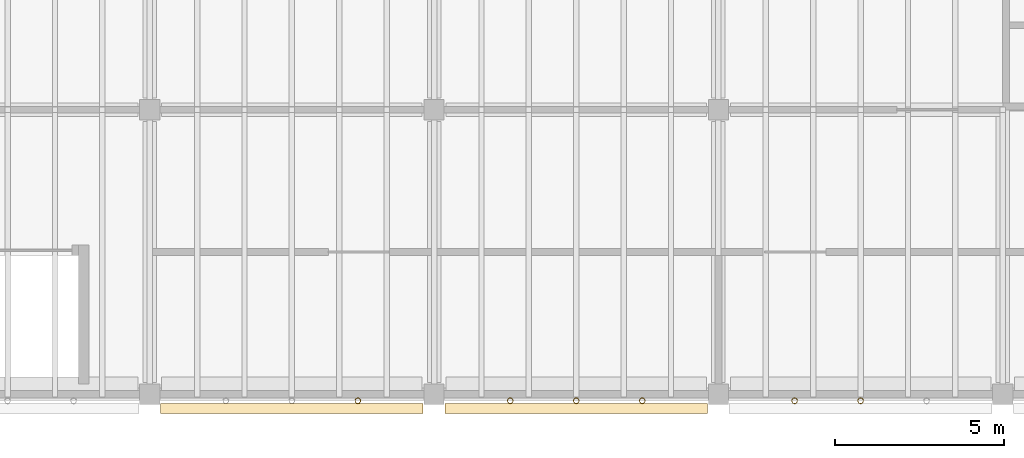
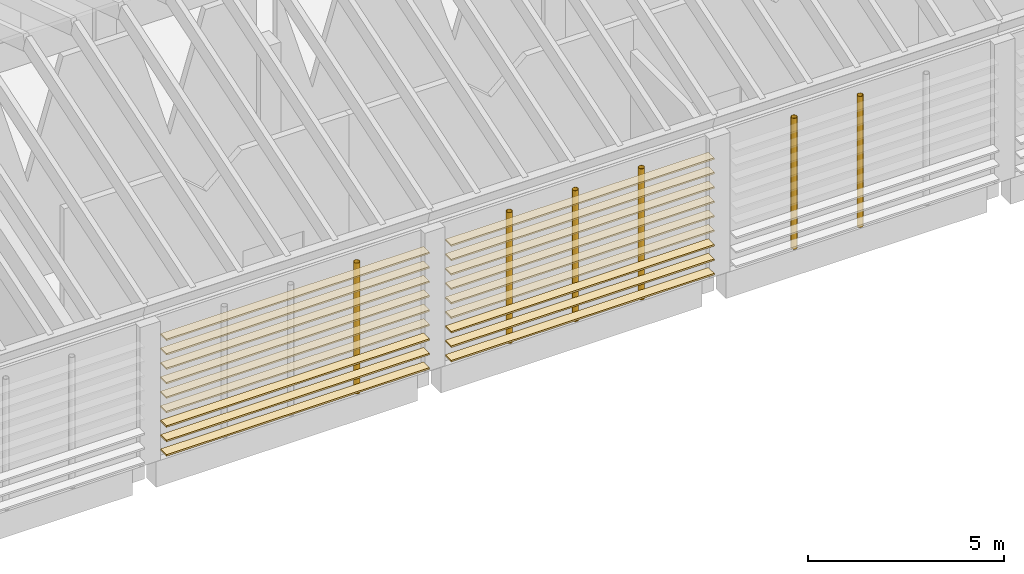
# One storey, part 48 of 59: 18 coverings, 6 shading devices.
"""IFC4 building model written with IfcOpenShell, lengths in metres."""

import ifcopenshell
import ifcopenshell.guid

model = None  # the IFC model being written
_history = None  # IfcOwnerHistory: only IFC2X3 demands one
_inside = {}  # id of a spatial element -> (the spatial element, [elements in it])
_under = {}  # id of a project, library or spatial element -> (it, [spatial elements below it])
_declared = {}  # id of a project -> (the project, [libraries it declares])
_typed = {}  # id of a type object -> (the type object, [elements of that type])
_made_of = {}  # id of a material, layer set ... -> (it, [elements and type objects made of it])


def new_model(schema):
    """Start an empty IFC model of exactly this schema.

    Asked for "IFC4X3", IfcOpenShell would pick the latest addendum, in which some entities
    have other attributes; the version numbers below select the first issue.
    IFC2X3 requires an IfcOwnerHistory on every rooted entity: one is made here for all.
    """
    global model, _history
    if schema == "IFC4X3":
        model = ifcopenshell.file(schema_version=(4, 3, 0, 0))
    else:
        model = ifcopenshell.file(schema=schema)
    _inside.clear()
    _under.clear()
    _declared.clear()
    _typed.clear()
    _made_of.clear()
    _history = None
    if model.schema == "IFC2X3":
        org = make("IfcOrganization", Name="unknown")
        user = make(
            "IfcPersonAndOrganization",
            ThePerson=make("IfcPerson", FamilyName="unknown"),
            TheOrganization=org,
        )
        app = make(
            "IfcApplication",
            ApplicationDeveloper=org,
            Version="unknown",
            ApplicationFullName="unknown",
            ApplicationIdentifier="unknown",
        )
        _history = make(
            "IfcOwnerHistory",
            OwningUser=user,
            OwningApplication=app,
            ChangeAction="ADDED",
            CreationDate=0,
        )
    return model


def make(cls, **values):
    """One entity of the class cls with the attributes given. An attribute that is None is left unset."""
    return model.create_entity(
        cls, **{name: value for name, value in values.items() if value is not None}
    )


def rooted(cls, **values):
    """An entity with a GlobalId (a new one), such as an element, a storey or a relation."""
    return make(cls, GlobalId=ifcopenshell.guid.new(), OwnerHistory=_history, **values)


def si_unit(unit_type, name, prefix=None):
    """IfcSIUnit, for example si_unit("LENGTHUNIT", "METRE", prefix="MILLI")."""
    return make("IfcSIUnit", UnitType=unit_type, Prefix=prefix, Name=name)


def assignment(units):
    """IfcUnitAssignment: the units of a project."""
    return None if units is None else make("IfcUnitAssignment", Units=units)


def point(xyz):
    """IfcCartesianPoint."""
    return None if xyz is None else make("IfcCartesianPoint", Coordinates=xyz)


def direction(xyz):
    """IfcDirection."""
    return None if xyz is None else make("IfcDirection", DirectionRatios=xyz)


def frame(location, z_axis=None, x_axis=None):
    """IfcAxis2Placement3D, a coordinate frame: its origin and axes. An axis left out is left unset."""
    return make(
        "IfcAxis2Placement3D",
        Location=point(location),
        Axis=direction(z_axis),
        RefDirection=direction(x_axis),
    )


def frame_2d(location, x_axis=None):
    """IfcAxis2Placement2D, a coordinate frame in the plane: its origin and x axis."""
    return make(
        "IfcAxis2Placement2D", Location=point(location), RefDirection=direction(x_axis)
    )


def origin():
    """The frame at (0, 0, 0) with its axes left unset."""
    return frame((0.0, 0.0, 0.0))


def origin_2d():
    """The frame at (0, 0) in the plane with its x axis left unset."""
    return frame_2d((0.0, 0.0))


def place(relative_to, where):
    """IfcLocalPlacement: puts the frame where relative to a parent placement (None: the world)."""
    return make(
        "IfcLocalPlacement", PlacementRelTo=relative_to, RelativePlacement=where
    )


def context(
    kind, dimensions, precision=None, world=None, true_north=None, identifier=None
):
    """IfcGeometricRepresentationContext, for example the 3D "Model" context."""
    return make(
        "IfcGeometricRepresentationContext",
        ContextIdentifier=identifier,
        ContextType=kind,
        CoordinateSpaceDimension=dimensions,
        Precision=precision,
        WorldCoordinateSystem=world,
        TrueNorth=true_north,
    )


def subcontext(parent, identifier, kind, view, scale=None):
    """IfcGeometricRepresentationSubContext, for example "Body" below "Model"."""
    return make(
        "IfcGeometricRepresentationSubContext",
        ContextIdentifier=identifier,
        ContextType=kind,
        ParentContext=parent,
        TargetScale=scale,
        TargetView=view,
    )


def project(units=None, contexts=None):
    """IfcProject with its units and contexts."""
    return rooted(
        "IfcProject",
        Name="project",
        RepresentationContexts=contexts,
        UnitsInContext=assignment(units),
    )


def spatial(cls, under=None, at=None, **own):
    """A site, building, storey or space (cls), placed at a placement, below another one or the project."""
    s = rooted(cls, ObjectPlacement=at, **own)
    if under is not None:
        _under.setdefault(under.id(), (under, []))[1].append(s)
    return s


def profile(cls, at=None, kind="AREA", **sizes):
    """A parametric profile (cls). Its sizes go by their IFC names, for example OverallWidth=200.0."""
    return make(cls, ProfileType=kind, Position=at, **sizes)


def rectangle(**sizes):
    """IfcRectangleProfileDef."""
    return profile("IfcRectangleProfileDef", **sizes)


def hollow_circle(**sizes):
    """IfcCircleHollowProfileDef."""
    return profile("IfcCircleHollowProfileDef", **sizes)


def extrude(swept, where, along, depth):
    """IfcExtrudedAreaSolid: the profile swept, set in the frame where, extruded along a direction by depth."""
    return make(
        "IfcExtrudedAreaSolid",
        SweptArea=swept,
        Position=where,
        ExtrudedDirection=direction(along),
        Depth=depth,
    )


def shape(context_of_items, identifier, shape_type, items):
    """IfcShapeRepresentation: the items that make up one representation, for example the "Body"."""
    return make(
        "IfcShapeRepresentation",
        ContextOfItems=context_of_items,
        RepresentationIdentifier=identifier,
        RepresentationType=shape_type,
        Items=items,
    )


def material(Name=None, Category=None):
    """IfcMaterial."""
    return make("IfcMaterial", Name=Name, Category=Category)


def material_profile(
    of_material, cross_section, Name=None, Category=None, Priority=None
):
    """IfcMaterialProfile: a cross section and its material."""
    return make(
        "IfcMaterialProfile",
        Name=Name,
        Material=of_material,
        Profile=cross_section,
        Priority=Priority,
        Category=Category,
    )


def profile_set(profiles, Name=None, composite=None):
    """IfcMaterialProfileSet."""
    return make(
        "IfcMaterialProfileSet",
        Name=Name,
        MaterialProfiles=profiles,
        CompositeProfile=composite,
    )


def made_of(thing, what):
    """Note that an element or type object is made of a material, layer set ...; save() writes the relation."""
    if what is not None:
        _made_of.setdefault(what.id(), (what, []))[1].append(thing)
    return thing


def type_object(cls, material=None, **own):
    """A type object (cls), such as IfcWallType, which elements share."""
    return made_of(rooted(cls, **own), material)


def element(
    cls,
    number,
    at=None,
    inside=None,
    cuts=None,
    type_object=None,
    material=None,
    context=None,
    identifier="Body",
    shape_type=None,
    held_by="IfcProductDefinitionShape",
    body=None,
    shapes=None,
    **own,
):
    """One element of the class cls, such as IfcWall. Its Tag is "e" and its number.

    at: its placement. inside: the storey or other place that contains it. cuts: it is an
    opening in that element (IfcRelVoidsElement). A single representation is given by context,
    identifier, shape_type and body (its items); several are given by shapes. held_by: the class
    of the entity that holds the representations. save() writes the other relations.
    """
    e = rooted(cls, Tag="e%d" % number, ObjectPlacement=at, **own)
    if body is not None:
        shapes = [shape(context, identifier, shape_type, body)]
    if shapes is not None:
        e.Representation = make(held_by, Representations=shapes)
    if inside is not None:
        _inside.setdefault(inside.id(), (inside, []))[1].append(e)
    if cuts is not None:
        rooted(
            "IfcRelVoidsElement", RelatingBuildingElement=cuts, RelatedOpeningElement=e
        )
    if type_object is not None:
        _typed.setdefault(type_object.id(), (type_object, []))[1].append(e)
    return made_of(e, material)


def aggregate(whole, parts):
    """IfcRelAggregates: a whole, such as a stair, and the parts it consists of."""
    return rooted("IfcRelAggregates", RelatingObject=whole, RelatedObjects=parts)


def save(model, path):
    """Write the relations noted so far, then the file.

    IfcRelAggregates (storeys below a building ...), IfcRelContainedInSpatialStructure (elements
    in a storey), IfcRelDefinesByType, IfcRelAssociatesMaterial and IfcRelDeclares: one each for
    every whole, place, type object, material and project.
    """
    for whole, parts in _under.values():
        aggregate(whole, parts)
    for where, things in _inside.values():
        rooted(
            "IfcRelContainedInSpatialStructure",
            RelatedElements=things,
            RelatingStructure=where,
        )
    for kind, things in _typed.values():
        rooted("IfcRelDefinesByType", RelatedObjects=things, RelatingType=kind)
    for what, things in _made_of.values():
        rooted("IfcRelAssociatesMaterial", RelatedObjects=things, RelatingMaterial=what)
    for by, libraries in _declared.values():
        rooted("IfcRelDeclares", RelatingContext=by, RelatedDefinitions=libraries)
    model.write(path)


model = new_model("IFC4")

# Units and contexts
model_context = context("Model", 3, precision=1e-05, world=origin(), true_north=direction((0.0, 1.0)))
body_context = subcontext(model_context, "Body", "Model", "MODEL_VIEW")
ifc_project = project(units=[si_unit("LENGTHUNIT", "METRE"), si_unit("AREAUNIT", "SQUARE_METRE"), si_unit("VOLUMEUNIT", "CUBIC_METRE"), si_unit("PLANEANGLEUNIT", "RADIAN"), si_unit("MASSUNIT", "GRAM", prefix="KILO")], contexts=[model_context])

# Site, building, storey
site_placement = place(None, origin())
site = spatial("IfcSite", under=ifc_project, at=site_placement, CompositionType="ELEMENT")
building_placement = place(site_placement, origin())
building = spatial("IfcBuilding", under=site, at=building_placement, Name="Almond Square Museum", CompositionType="ELEMENT")
storey_placement = place(building_placement, frame((0.0, 0.0, 25.0)))
storey = spatial("IfcBuildingStorey", under=building, at=storey_placement, Name="L04", CompositionType="ELEMENT", Elevation=25.0)

# Shading devices
ifc_material_1 = material(Name="Structural steel S355", Category="steel")
ifc_material_profile_1 = material_profile(ifc_material_1, hollow_circle(Radius=0.084228515625, WallThickness=0.008056640625, at=origin_2d()))
ifc_profile_set_1 = profile_set([ifc_material_profile_1], Name="Structural steel S355")
shading_device_type = type_object("IfcShadingDeviceType", Name="Louvre post CHS 168.3 x 8", PredefinedType="USERDEFINED", material=ifc_profile_set_1)
for number, where, z_axis, x_axis, name in (
    (1, (104.550048828125, -0.194091796875, 0.0), (0.0, 0.0, 1.0), (1.0, 0.0, 0.0), "Louvre screen post"),
    (2, (109.050048828125, -0.194091796875, 0.0), (0.0, 0.0, 1.0), (1.0, 0.0, 0.0), "Louvre screen post"),
    (3, (111.0, -0.194091796875, 0.0), (0.0, 0.0, 1.0), (1.0, 0.0, 0.0), "Louvre screen post"),
    (4, (112.949951171875, -0.194091796875, 0.0), (0.0, 0.0, 1.0), (1.0, 0.0, 0.0), "Louvre screen post"),
    (5, (117.449951171875, -0.194091796875, 0.0), (0.0, 0.0, 1.0), (1.0, 0.0, 0.0), "Louvre screen post"),
    (6, (119.39990234375, -0.194091796875, 0.0), (0.0, 0.0, 1.0), (1.0, 0.0, 0.0), "Louvre screen post"),
):
    element("IfcShadingDevice", number, at=place(storey_placement, frame(where, z_axis=z_axis, x_axis=x_axis)), inside=storey, type_object=shading_device_type, Name=name, ObjectType="POST", PredefinedType="USERDEFINED", context=body_context, shape_type="SweptSolid", body=[
        extrude(hollow_circle(Radius=0.084228515625, WallThickness=0.008056640625, at=origin_2d()), origin(), (0.0, 0.0, 1.0), 4.08447265625),
    ])

# Coverings
ifc_material_2 = material(Name="Cedar timber louvre board", Category="wood")
ifc_material_profile_2 = material_profile(ifc_material_2, rectangle(XDim=0.300048828125, YDim=0.050048828125, at=origin_2d()))
ifc_profile_set_2 = profile_set([ifc_material_profile_2], Name="Cedar timber louvre board")
covering_type = type_object("IfcCoveringType", Name="Louvre screen board 300 x 50", PredefinedType="CLADDING", material=ifc_profile_set_2)
for number, where, z_axis, x_axis, name in (
    (7, (98.719970703125, -0.42431640625, 0.300048828125), (1.0, 0.0, 0.0), (0.0, 1.0, 0.0), "Louvre screen board"),
    (8, (98.719970703125, -0.42431640625, 0.75), (1.0, 0.0, 0.0), (0.0, 1.0, 0.0), "Louvre screen board"),
    (9, (98.719970703125, -0.42431640625, 1.199951171875), (1.0, 0.0, 0.0), (0.0, 1.0, 0.0), "Louvre screen board"),
    (10, (98.719970703125, -0.42431640625, 1.64990234375), (1.0, 0.0, 0.0), (0.0, 1.0, 0.0), "Louvre screen board"),
    (11, (98.719970703125, -0.42431640625, 2.10009765625), (1.0, 0.0, 0.0), (0.0, 1.0, 0.0), "Louvre screen board"),
    (12, (98.719970703125, -0.42431640625, 2.550048828125), (1.0, 0.0, 0.0), (0.0, 1.0, 0.0), "Louvre screen board"),
    (13, (98.719970703125, -0.42431640625, 3.0), (1.0, 0.0, 0.0), (0.0, 1.0, 0.0), "Louvre screen board"),
    (14, (98.719970703125, -0.42431640625, 3.449951171875), (1.0, 0.0, 0.0), (0.0, 1.0, 0.0), "Louvre screen board"),
    (15, (98.719970703125, -0.42431640625, 3.89990234375), (1.0, 0.0, 0.0), (0.0, 1.0, 0.0), "Louvre screen board"),
):
    element("IfcCovering", number, at=place(storey_placement, frame(where, z_axis=z_axis, x_axis=x_axis)), inside=storey, type_object=covering_type, Name=name, PredefinedType="CLADDING", context=body_context, shape_type="SweptSolid", body=[
        extrude(rectangle(XDim=0.300048828125, YDim=0.050048828125, at=origin_2d()), origin(), (0.0, 0.0, 1.0), 7.760009765625),
    ])
for number, where, z_axis, x_axis, name in (
    (16, (107.1201171875, -0.42431640625, 0.300048828125), (1.0, 0.0, 0.0), (0.0, 1.0, 0.0), "Louvre screen board"),
    (17, (107.1201171875, -0.42431640625, 0.75), (1.0, 0.0, 0.0), (0.0, 1.0, 0.0), "Louvre screen board"),
    (18, (107.1201171875, -0.42431640625, 1.199951171875), (1.0, 0.0, 0.0), (0.0, 1.0, 0.0), "Louvre screen board"),
    (19, (107.1201171875, -0.42431640625, 1.64990234375), (1.0, 0.0, 0.0), (0.0, 1.0, 0.0), "Louvre screen board"),
    (20, (107.1201171875, -0.42431640625, 2.10009765625), (1.0, 0.0, 0.0), (0.0, 1.0, 0.0), "Louvre screen board"),
    (21, (107.1201171875, -0.42431640625, 2.550048828125), (1.0, 0.0, 0.0), (0.0, 1.0, 0.0), "Louvre screen board"),
    (22, (107.1201171875, -0.42431640625, 3.0), (1.0, 0.0, 0.0), (0.0, 1.0, 0.0), "Louvre screen board"),
    (23, (107.1201171875, -0.42431640625, 3.449951171875), (1.0, 0.0, 0.0), (0.0, 1.0, 0.0), "Louvre screen board"),
    (24, (107.1201171875, -0.42431640625, 3.89990234375), (1.0, 0.0, 0.0), (0.0, 1.0, 0.0), "Louvre screen board"),
):
    element("IfcCovering", number, at=place(storey_placement, frame(where, z_axis=z_axis, x_axis=x_axis)), inside=storey, type_object=covering_type, Name=name, PredefinedType="CLADDING", context=body_context, shape_type="SweptSolid", body=[
        extrude(rectangle(XDim=0.300048828125, YDim=0.050048828125, at=origin_2d()), origin(), (0.0, 0.0, 1.0), 7.759765625),
    ])

save(model, "model.ifc")
